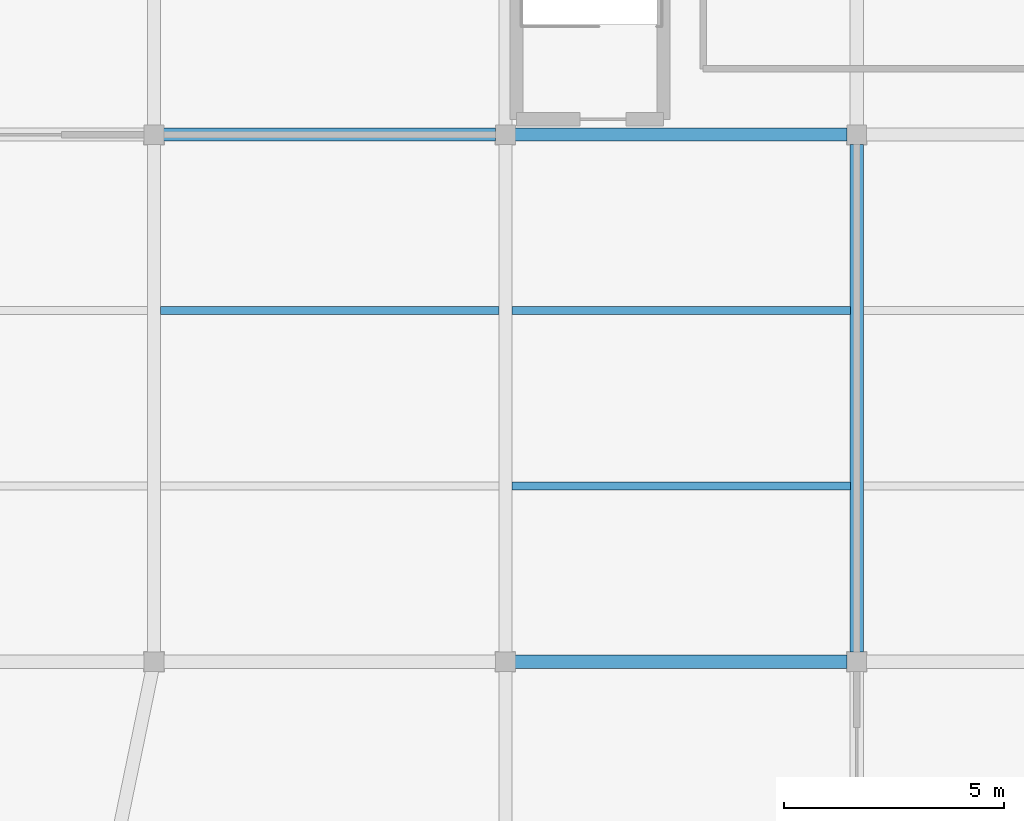
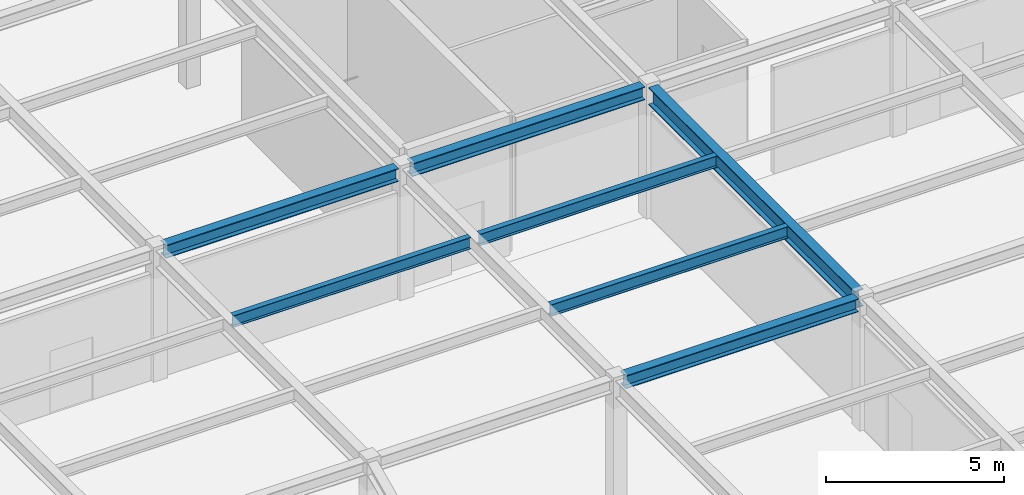
# One storey, part 13 of 63: 7 beams.
"""IFC4 building model written with IfcOpenShell, lengths in metres."""

from ifc_helpers import new_model, si_unit, direction, frame, origin, origin_2d, place, context, subcontext, project, spatial, i_section, extrude, material, material_profile, profile_set, type_object, element, save


model = new_model("IFC4")

# Units and contexts
model_context = context("Model", 3, precision=1e-05, world=origin(), true_north=direction((0.0, 1.0)))
body_context = subcontext(model_context, "Body", "Model", "MODEL_VIEW")
ifc_project = project(units=[si_unit("LENGTHUNIT", "METRE"), si_unit("AREAUNIT", "SQUARE_METRE"), si_unit("VOLUMEUNIT", "CUBIC_METRE"), si_unit("PLANEANGLEUNIT", "RADIAN"), si_unit("MASSUNIT", "GRAM", prefix="KILO")], contexts=[model_context])

# Site, building, storey
site_placement = place(None, origin())
site = spatial("IfcSite", under=ifc_project, at=site_placement, CompositionType="ELEMENT")
building_placement = place(site_placement, origin())
building = spatial("IfcBuilding", under=site, at=building_placement, Name="Keelwater Ferry Terminal", CompositionType="ELEMENT")
storey_placement = place(building_placement, frame((0.0, 0.0, 10.199951171875)))
storey = spatial("IfcBuildingStorey", under=building, at=storey_placement, Name="L02", CompositionType="ELEMENT", Elevation=10.199951171875)

# Beams
ifc_material_1 = material(Name="Steel S355", Category="steel")
ifc_material_profile_1 = material_profile(ifc_material_1, i_section(OverallWidth=0.300048828125, OverallDepth=0.60009765625, WebThickness=0.015380859375, FlangeThickness=0.030029296875, at=origin_2d()), Name="HEB 600")
ifc_profile_set_1 = profile_set([ifc_material_profile_1], Name="Steel S355")
beam_type_1 = type_object("IfcBeamType", Name="G3E HEB 600", PredefinedType="BEAM", material=ifc_profile_set_1)
beam_1_placement = place(storey_placement, frame((32.0, 54.219970703125, 4.219970703125), z_axis=(0.0, 1.0, 0.0), x_axis=(-1.0, 0.0, 0.0)))
element("IfcBeam", 1, at=beam_1_placement, inside=storey, type_object=beam_type_1, Name="Beam BM-L02-1081", PredefinedType="BEAM", context=body_context, shape_type="SweptSolid", body=[
    extrude(i_section(OverallWidth=0.300048828125, OverallDepth=0.60009765625, WebThickness=0.015380859375, FlangeThickness=0.030029296875, at=origin_2d()), origin(), (0.0, 0.0, 1.0), 11.56005859375),
])
ifc_material_2 = material(Name="Steel S355", Category="steel")
ifc_material_profile_2 = material_profile(ifc_material_2, i_section(OverallWidth=0.300048828125, OverallDepth=0.449951171875, WebThickness=0.013916015625, FlangeThickness=0.02587890625, at=origin_2d()), Name="HEB 450")
ifc_profile_set_2 = profile_set([ifc_material_profile_2], Name="Steel S355")
beam_type_2 = type_object("IfcBeamType", Name="G6 HEB 450", PredefinedType="BEAM", material=ifc_profile_set_2)
beam_2_placement = place(storey_placement, frame((24.219970703125, 54.0, 4.295166015625), z_axis=(1.0, 0.0, 0.0), x_axis=(0.0, 1.0, 0.0)))
element("IfcBeam", 2, at=beam_2_placement, inside=storey, type_object=beam_type_2, Name="Beam BM-L02-0998", PredefinedType="BEAM", context=body_context, shape_type="SweptSolid", body=[
    extrude(i_section(OverallWidth=0.300048828125, OverallDepth=0.449951171875, WebThickness=0.013916015625, FlangeThickness=0.02587890625, at=origin_2d()), origin(), (0.0, 0.0, 1.0), 7.56005859375),
])
beam_3_placement = place(storey_placement, frame((16.220947265625, 66.0, 4.295166015625), z_axis=(1.0, 0.0, 0.0), x_axis=(0.0, 1.0, 0.0)))
element("IfcBeam", 3, at=beam_3_placement, inside=storey, type_object=beam_type_2, Name="Beam BM-L02-1008", PredefinedType="BEAM", context=body_context, shape_type="SweptSolid", body=[
    extrude(i_section(OverallWidth=0.300048828125, OverallDepth=0.449951171875, WebThickness=0.013916015625, FlangeThickness=0.02587890625, at=origin_2d()), origin(), (0.0, 0.0, 1.0), 7.55908203125),
])
beam_4_placement = place(storey_placement, frame((24.219970703125, 66.0, 4.295166015625), z_axis=(1.0, 0.0, 0.0), x_axis=(0.0, 1.0, 0.0)))
element("IfcBeam", 4, at=beam_4_placement, inside=storey, type_object=beam_type_2, Name="Beam BM-L02-1009", PredefinedType="BEAM", context=body_context, shape_type="SweptSolid", body=[
    extrude(i_section(OverallWidth=0.300048828125, OverallDepth=0.449951171875, WebThickness=0.013916015625, FlangeThickness=0.02587890625, at=origin_2d()), origin(), (0.0, 0.0, 1.0), 7.56005859375),
])
ifc_material_3 = material(Name="Steel S355", Category="steel")
ifc_material_profile_3 = material_profile(ifc_material_3, i_section(OverallWidth=0.179931640625, OverallDepth=0.39990234375, WebThickness=0.008544921875, FlangeThickness=0.013427734375, at=origin_2d()), Name="IPE 400")
ifc_profile_set_3 = profile_set([ifc_material_profile_3], Name="Steel S355")
beam_type_3 = type_object("IfcBeamType", Name="J5 IPE 400", PredefinedType="JOIST", material=ifc_profile_set_3)
for number, where, z_axis, x_axis, name in (
    (5, (16.14990234375, 62.0, 4.320068359375), (1.0, 0.0, 0.0), (0.0, 1.0, 0.0), "Beam BM-L02-1153"),
    (6, (24.14990234375, 58.0, 4.320068359375), (1.0, 0.0, 0.0), (0.0, 1.0, 0.0), "Beam BM-L02-1158"),
    (7, (24.14990234375, 62.0, 4.320068359375), (1.0, 0.0, 0.0), (0.0, 1.0, 0.0), "Beam BM-L02-1159"),
):
    element("IfcBeam", number, at=place(storey_placement, frame(where, z_axis=z_axis, x_axis=x_axis)), inside=storey, type_object=beam_type_3, Name=name, PredefinedType="JOIST", context=body_context, shape_type="SweptSolid", body=[
        extrude(i_section(OverallWidth=0.179931640625, OverallDepth=0.39990234375, WebThickness=0.008544921875, FlangeThickness=0.013427734375, at=origin_2d()), origin(), (0.0, 0.0, 1.0), 7.7001953125),
    ])

save(model, "model.ifc")
